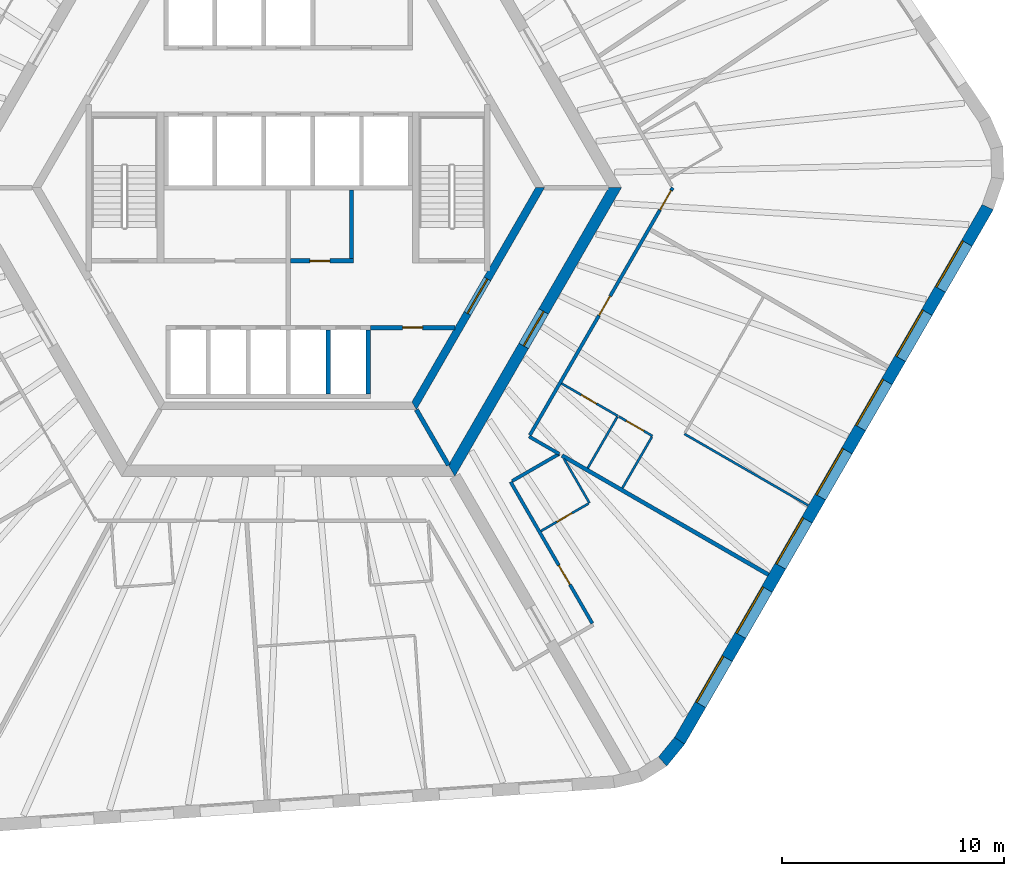
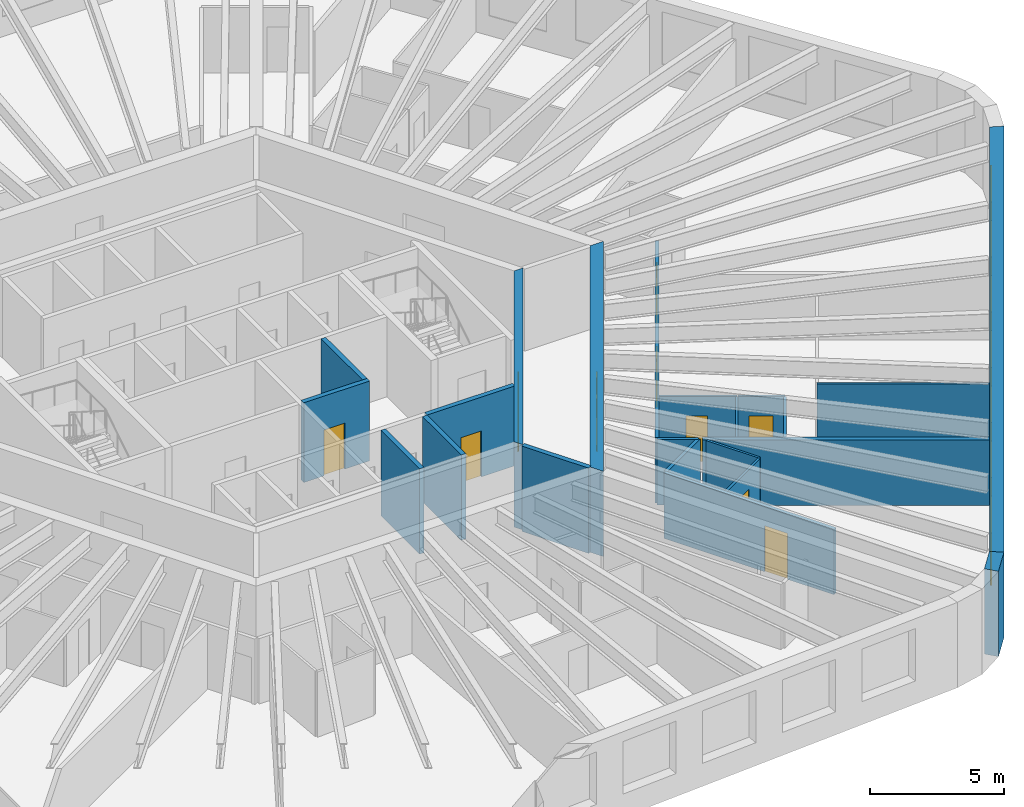
# One storey, part 5 of 10: 22 walls, 10 doors, 7 windows, 17 openings.
"""IFC4 building model written with IfcOpenShell, lengths in metres."""

from ifc_helpers import new_model, si_unit, direction, frame, frame_2d, origin, place, context, subcontext, project, spatial, polyline, rectangle, outline, extrude, material, layer, layer_set, type_object, element, fill, save


model = new_model("IFC4")

# Units and contexts
model_context = context("Model", 3, precision=1e-05, world=origin(), true_north=direction((0.0, 1.0)))
body_context = subcontext(model_context, "Body", "Model", "MODEL_VIEW")
ifc_project = project(units=[si_unit("LENGTHUNIT", "METRE"), si_unit("AREAUNIT", "SQUARE_METRE"), si_unit("VOLUMEUNIT", "CUBIC_METRE"), si_unit("PLANEANGLEUNIT", "RADIAN"), si_unit("MASSUNIT", "GRAM", prefix="KILO")], contexts=[model_context])

# Site, building, storey
site_placement = place(None, origin())
site = spatial("IfcSite", under=ifc_project, at=site_placement, CompositionType="ELEMENT")
building_placement = place(site_placement, origin())
building = spatial("IfcBuilding", under=site, at=building_placement, Name="Tarnside Tower", CompositionType="ELEMENT")
storey_placement = place(building_placement, frame((0.0, 0.0, 172.199951171875)))
storey = spatial("IfcBuildingStorey", under=building, at=storey_placement, Name="L40", CompositionType="ELEMENT", Elevation=172.199951171875)

# Wall
ifc_material_1 = material(Name="Gypsum board partition on steel studs", Category="steel")
ifc_layer_1 = layer(ifc_material_1, 0.10009765625)
ifc_layer_set_1 = layer_set([ifc_layer_1], Name="Bathroom wall 100")
wall_type_1 = type_object("IfcWallType", Name="Bathroom wall 100", PredefinedType="PARTITIONING", material=ifc_layer_set_1)
wall_1_placement = place(storey_placement, frame((12.42626953125, -12.22265625, 0.0), z_axis=(0.0, 0.0, 1.0), x_axis=(0.499959451571, -0.866048813165, 0.0)))
element("IfcWall", 1, at=wall_1_placement, inside=storey, type_object=wall_type_1, Name="Bathroom wall 12086", PredefinedType="PARTITIONING", context=body_context, shape_type="SweptSolid", body=[
    extrude(rectangle(XDim=2.288818359375, YDim=0.10009765625, at=frame_2d((1.14453125, 0.0))), origin(), (0.0, 0.0, 1.0), 2.98779296875),
])

# Wall, opening, door
wall_2_placement = place(storey_placement, frame((13.527099609375, -14.229736328125, 0.0), z_axis=(0.0, 0.0, 1.0), x_axis=(-0.866006523861, -0.500032699561, 0.0)))
wall_2 = element("IfcWall", 2, at=wall_2_placement, inside=storey, type_object=wall_type_1, Name="Bathroom wall 12087", PredefinedType="PARTITIONING", context=body_context, shape_type="SweptSolid", body=[
    extrude(rectangle(XDim=2.474853515625, YDim=0.10009765625, at=frame_2d((1.2373046875, 0.0))), origin(), (0.0, 0.0, 1.0), 2.98779296875),
])
opening_1_placement = place(wall_2_placement, frame((0.85009765625, 0.0, 0.0)))
opening_1 = element("IfcOpeningElement", 3, at=opening_1_placement, cuts=wall_2, Name="Opening D-B1", PredefinedType="OPENING", context=body_context, shape_type="SweptSolid", body=[
    extrude(rectangle(XDim=0.800048828125, YDim=2.10009765625, at=frame_2d((0.39990234375, 1.050048828125))), frame((0.0, 0.06005859375, 0.0), z_axis=(0.0, -1.0, 0.0), x_axis=(1.0, 0.0, 0.0)), (0.0, 0.0, 1.0), 0.1201171875),
])
ifc_material_2 = material(Name="Timber door leaf", Category="wood")
door_type_1 = type_object("IfcDoorType", Name="Bathroom door 800", OperationType="NOTDEFINED", PredefinedType="DOOR", material=ifc_material_2)
door_1_placement = place(opening_1_placement, origin())
door_1 = element("IfcDoor", 4, at=door_1_placement, inside=storey, type_object=door_type_1, Name="Bathroom door 12023", OperationType="SINGLE_SWING_RIGHT", OverallHeight=2.10009765625, OverallWidth=0.800048828125, PredefinedType="DOOR", context=body_context, shape_type="SweptSolid", body=[
    extrude(rectangle(XDim=0.800048828125, YDim=2.10009765625, at=frame_2d((0.39990234375, 1.050048828125))), frame((0.0, 0.02490234375, 0.0), z_axis=(0.0, -1.0, 0.0), x_axis=(1.0, 0.0, 0.0)), (0.0, 0.0, 1.0), 0.050048828125),
])
fill(opening_1, door_1)

wall_3_placement = place(storey_placement, frame((12.314208984375, -8.821044921875, 0.0), z_axis=(0.0, 0.0, 1.0), x_axis=(0.866046596414, -0.499963291492, 0.0)))
wall_3 = element("IfcWall", 5, at=wall_3_placement, inside=storey, type_object=wall_type_1, Name="Bathroom wall 12091", PredefinedType="PARTITIONING", context=body_context, shape_type="SweptSolid", body=[
    extrude(rectangle(XDim=2.925048828125, YDim=0.10009765625, at=frame_2d((1.46240234375, 0.0))), origin(), (0.0, 0.0, 1.0), 2.98779296875),
])
opening_2_placement = place(wall_3_placement, frame((1.02490234375, 0.0, 0.0)))
opening_2 = element("IfcOpeningElement", 6, at=opening_2_placement, cuts=wall_3, Name="Opening D-B1", PredefinedType="OPENING", context=body_context, shape_type="SweptSolid", body=[
    extrude(rectangle(XDim=0.800048828125, YDim=2.10009765625, at=frame_2d((0.39990234375, 1.050048828125))), frame((0.0, 0.06005859375, 0.0), z_axis=(0.0, -1.0, 0.0), x_axis=(1.0, 0.0, 0.0)), (0.0, 0.0, 1.0), 0.1201171875),
])
door_2_placement = place(opening_2_placement, origin())
door_2 = element("IfcDoor", 7, at=door_2_placement, inside=storey, type_object=door_type_1, Name="Bathroom door 12025", OperationType="SINGLE_SWING_RIGHT", OverallHeight=2.10009765625, OverallWidth=0.800048828125, PredefinedType="DOOR", context=body_context, shape_type="SweptSolid", body=[
    extrude(rectangle(XDim=0.800048828125, YDim=2.10009765625, at=frame_2d((0.39990234375, 1.050048828125))), frame((0.0, 0.02490234375, 0.0), z_axis=(0.0, -1.0, 0.0), x_axis=(1.0, 0.0, 0.0)), (0.0, 0.0, 1.0), 0.050048828125),
])
fill(opening_2, door_2)

# Wall
wall_4_placement = place(storey_placement, frame((13.492431640625, -12.63037109375, 0.0), z_axis=(0.0, 0.0, 1.0), x_axis=(0.50004820116, 0.865997573043, 0.0)))
element("IfcWall", 8, at=wall_4_placement, inside=storey, type_object=wall_type_1, Name="Bathroom wall 12097", PredefinedType="PARTITIONING", context=body_context, shape_type="SweptSolid", body=[
    extrude(rectangle(XDim=2.659912109375, YDim=0.10009765625, at=frame_2d((1.330078125, 0.0))), origin(), (0.0, 0.0, 1.0), 2.98779296875),
])

# Wall, opening, door
ifc_material_3 = material(Name="Concrete C50/60", Category="concrete")
ifc_layer_2 = layer(ifc_material_3, 0.35009765625)
ifc_layer_set_2 = layer_set([ifc_layer_2], Name="Core block wall 350 C50/60")
wall_type_2 = type_object("IfcWallType", Name="Core block wall 350 C50/60", PredefinedType="SHEAR", material=ifc_layer_set_2)
wall_5_placement = place(storey_placement, frame((5.672607421875, -9.824951171875, -0.14990234375), z_axis=(0.0, 0.0, 1.0), x_axis=(0.499995046907, 0.866028263435, 0.0)))
wall_5 = element("IfcWall", 9, at=wall_5_placement, inside=storey, type_object=wall_type_2, Name="L40 core block wall face 5", PredefinedType="SHEAR", context=body_context, shape_type="SweptSolid", body=[
    extrude(outline(polyline([(-0.10107421875, -0.175048828125), (11.44580078125, -0.175048828125), (11.24365234375, 0.175048828125), (0.10107421875, 0.175048828125), (-0.10107421875, -0.175048828125)])), origin(), (0.0, 0.0, 1.0), 3.89990234375),
])
opening_3_placement = place(wall_5_placement, frame((4.80126953125, 0.0, 0.14990234375)))
opening_3 = element("IfcOpeningElement", 10, at=opening_3_placement, cuts=wall_5, Name="Opening CD-FFL", PredefinedType="OPENING", context=body_context, shape_type="SweptSolid", body=[
    extrude(rectangle(XDim=1.800048828125, YDim=2.39990234375, at=frame_2d((0.89990234375, 1.199951171875))), frame((0.0, 0.18505859375, 0.0), z_axis=(0.0, -1.0, 0.0), x_axis=(1.0, 0.0, 0.0)), (0.0, 0.0, 1.0), 0.3701171875),
])
ifc_material_4 = material(Name="Steel fire door", Category="steel")
door_type_2 = type_object("IfcDoorType", Name="Firefighting lobby double door FD60S 1800x2400", OperationType="NOTDEFINED", PredefinedType="DOOR", material=ifc_material_4)
door_3_placement = place(opening_3_placement, origin())
door_3 = element("IfcDoor", 11, at=door_3_placement, inside=storey, type_object=door_type_2, Name="L40 lobby block door P4", OperationType="DOUBLE_DOOR_SINGLE_SWING", OverallHeight=2.39990234375, OverallWidth=1.800048828125, PredefinedType="DOOR", context=body_context, shape_type="SweptSolid", body=[
    extrude(rectangle(XDim=1.800048828125, YDim=2.39990234375, at=frame_2d((0.89990234375, 1.199951171875))), frame((0.0, 0.02490234375, 0.0), z_axis=(0.0, -1.0, 0.0), x_axis=(1.0, 0.0, 0.0)), (0.0, 0.0, 1.0), 0.050048828125),
])
fill(opening_3, door_3)

ifc_material_5 = material(Name="Concrete C40/50", Category="concrete")
ifc_layer_3 = layer(ifc_material_5, 0.199951171875)
ifc_layer_set_3 = layer_set([ifc_layer_3], Name="Core room partition 200 C40/50")
wall_type_3 = type_object("IfcWallType", Name="Core room partition 200 C40/50", PredefinedType="PARTITIONING", material=ifc_layer_set_3)
wall_6_placement = place(storey_placement, frame((0.10009765625, -3.300048828125, 0.0), z_axis=(0.0, 0.0, 1.0), x_axis=(1.0, 0.0, 0.0)))
wall_6 = element("IfcWall", 12, at=wall_6_placement, inside=storey, type_object=wall_type_3, Name="L40 core partition R3S1", PredefinedType="PARTITIONING", context=body_context, shape_type="SweptSolid", body=[
    extrude(rectangle(XDim=2.849853515625, YDim=0.199951171875, at=frame_2d((1.4248046875, 0.0))), origin(), (0.0, 0.0, 1.0), 3.650146484375),
])
opening_4_placement = place(wall_6_placement, frame((0.875, 0.0, 0.0)))
opening_4 = element("IfcOpeningElement", 13, at=opening_4_placement, cuts=wall_6, Name="Opening CD-room", PredefinedType="OPENING", context=body_context, shape_type="SweptSolid", body=[
    extrude(rectangle(XDim=0.89990234375, YDim=2.10009765625, at=frame_2d((0.449951171875, 1.050048828125))), frame((0.0, 0.10986328125, 0.0), z_axis=(0.0, -1.0, 0.0), x_axis=(1.0, 0.0, 0.0)), (0.0, 0.0, 1.0), 0.219970703125),
])
door_type_3 = type_object("IfcDoorType", Name="Room door FD60 900x2100", OperationType="NOTDEFINED", PredefinedType="DOOR", material=ifc_material_4)
door_4_placement = place(opening_4_placement, origin())
door_4 = element("IfcDoor", 14, at=door_4_placement, inside=storey, type_object=door_type_3, Name="L40 core room door SR1", OperationType="SINGLE_SWING_LEFT", OverallHeight=2.10009765625, OverallWidth=0.89990234375, PredefinedType="DOOR", context=body_context, shape_type="SweptSolid", body=[
    extrude(rectangle(XDim=0.89990234375, YDim=2.10009765625, at=frame_2d((0.449951171875, 1.050048828125))), frame((0.0, 0.02490234375, 0.0), z_axis=(0.0, -1.0, 0.0), x_axis=(1.0, 0.0, 0.0)), (0.0, 0.0, 1.0), 0.050048828125),
])
fill(opening_4, door_4)

# Wall
wall_7_placement = place(storey_placement, frame((2.85009765625, -3.199951171875, 0.0), z_axis=(0.0, 0.0, 1.0), x_axis=(0.0, 1.0, 0.0)))
element("IfcWall", 15, at=wall_7_placement, inside=storey, type_object=wall_type_3, Name="L40 core partition R3P1b", PredefinedType="PARTITIONING", context=body_context, shape_type="SweptSolid", body=[
    extrude(rectangle(XDim=3.099853515625, YDim=0.199951171875, at=frame_2d((1.5498046875, 0.0))), origin(), (0.0, 0.0, 1.0), 3.650146484375),
])

# Wall, opening, door
wall_8_placement = place(storey_placement, frame((3.699951171875, -6.300048828125, 0.0), z_axis=(0.0, 0.0, 1.0), x_axis=(1.0, 0.0, 0.0)))
wall_8 = element("IfcWall", 16, at=wall_8_placement, inside=storey, type_object=wall_type_3, Name="L40 core partition R4X", PredefinedType="PARTITIONING", context=body_context, shape_type="SweptSolid", body=[
    extrude(rectangle(XDim=3.8056640625, YDim=0.199951171875, at=frame_2d((1.90283203125, 0.0))), origin(), (0.0, 0.0, 1.0), 3.650146484375),
])
opening_5_placement = place(wall_8_placement, frame((1.452880859375, 0.0, 0.0)))
opening_5 = element("IfcOpeningElement", 17, at=opening_5_placement, cuts=wall_8, Name="Opening CD-room", PredefinedType="OPENING", context=body_context, shape_type="SweptSolid", body=[
    extrude(rectangle(XDim=0.89990234375, YDim=2.10009765625, at=frame_2d((0.449951171875, 1.050048828125))), frame((0.0, 0.10986328125, 0.0), z_axis=(0.0, -1.0, 0.0), x_axis=(1.0, 0.0, 0.0)), (0.0, 0.0, 1.0), 0.219970703125),
])
door_5_placement = place(opening_5_placement, origin())
door_5 = element("IfcDoor", 18, at=door_5_placement, inside=storey, type_object=door_type_3, Name="L40 core room door RX", OperationType="SINGLE_SWING_LEFT", OverallHeight=2.10009765625, OverallWidth=0.89990234375, PredefinedType="DOOR", context=body_context, shape_type="SweptSolid", body=[
    extrude(rectangle(XDim=0.89990234375, YDim=2.10009765625, at=frame_2d((0.449951171875, 1.050048828125))), frame((0.0, 0.02490234375, 0.0), z_axis=(0.0, -1.0, 0.0), x_axis=(1.0, 0.0, 0.0)), (0.0, 0.0, 1.0), 0.050048828125),
])
fill(opening_5, door_5)

ifc_material_6 = material(Name="Concrete C70/85", Category="concrete")
ifc_layer_4 = layer(ifc_material_6, 0.5)
ifc_layer_set_4 = layer_set([ifc_layer_4], Name="Core wall Z2 500 C70/85")
wall_type_4 = type_object("IfcWallType", Name="Core wall Z2 500 C70/85", PredefinedType="SHEAR", material=ifc_layer_set_4)
wall_9_placement = place(storey_placement, frame((7.361083984375, -12.75, -0.14990234375), z_axis=(0.0, 0.0, 1.0), x_axis=(0.50000571537, 0.866022103989, 0.0)))
wall_9 = element("IfcWall", 19, at=wall_9_placement, inside=storey, type_object=wall_type_4, Name="L40 core wall face 5", PredefinedType="SHEAR", context=body_context, shape_type="SweptSolid", body=[
    extrude(outline(polyline([(-0.144287109375, -0.25), (14.86669921875, -0.25), (14.578125, 0.25), (0.144287109375, 0.25), (-0.144287109375, -0.25)])), origin(), (0.0, 0.0, 1.0), 3.89990234375),
])
opening_6_placement = place(wall_9_placement, frame((6.489990234375, 0.0, 0.14990234375)))
opening_6 = element("IfcOpeningElement", 20, at=opening_6_placement, cuts=wall_9, Name="Opening CD-FFL", PredefinedType="OPENING", context=body_context, shape_type="SweptSolid", body=[
    extrude(rectangle(XDim=1.800048828125, YDim=2.39990234375, at=frame_2d((0.89990234375, 1.199951171875))), frame((0.0, 0.260009765625, 0.0), z_axis=(0.0, -1.0, 0.0), x_axis=(1.0, 0.0, 0.0)), (0.0, 0.0, 1.0), 0.52001953125),
])
door_6_placement = place(opening_6_placement, origin())
door_6 = element("IfcDoor", 21, at=door_6_placement, inside=storey, type_object=door_type_2, Name="L40 core door P4", OperationType="DOUBLE_DOOR_SINGLE_SWING", OverallHeight=2.39990234375, OverallWidth=1.800048828125, PredefinedType="DOOR", context=body_context, shape_type="SweptSolid", body=[
    extrude(rectangle(XDim=1.800048828125, YDim=2.39990234375, at=frame_2d((0.89990234375, 1.199951171875))), frame((0.0, 0.02490234375, 0.0), z_axis=(0.0, -1.0, 0.0), x_axis=(1.0, 0.0, 0.0)), (0.0, 0.0, 1.0), 0.050048828125),
])
fill(opening_6, door_6)

ifc_layer_5 = layer(ifc_material_1, 0.14990234375)
ifc_layer_set_5 = layer_set([ifc_layer_5], Name="Corridor wall 150 EI 60")
wall_type_5 = type_object("IfcWallType", Name="Corridor wall 150 EI 60", PredefinedType="PARTITIONING", material=ifc_layer_set_5)
wall_10_placement = place(storey_placement, frame((13.69921875, -19.6279296875, 0.0), z_axis=(0.0, 0.0, 1.0), x_axis=(-0.499995202058, 0.86602817386, 0.0)))
wall_10 = element("IfcWall", 22, at=wall_10_placement, inside=storey, type_object=wall_type_5, Name="Corridor wall 12029", PredefinedType="PARTITIONING", context=body_context, shape_type="SweptSolid", body=[
    extrude(rectangle(XDim=7.36083984375, YDim=0.14990234375, at=frame_2d((3.680419921875, 0.0))), origin(), (0.0, 0.0, 1.0), 2.98779296875),
])
opening_7_placement = place(wall_10_placement, frame((2.01806640625, 0.0, 0.0)))
opening_7 = element("IfcOpeningElement", 23, at=opening_7_placement, cuts=wall_10, Name="Opening D-E1", PredefinedType="OPENING", context=body_context, shape_type="SweptSolid", body=[
    extrude(rectangle(XDim=1.0, YDim=2.10009765625, at=frame_2d((0.5, 1.050048828125))), frame((0.0, 0.0849609375, 0.0), z_axis=(0.0, -1.0, 0.0), x_axis=(1.0, 0.0, 0.0)), (0.0, 0.0, 1.0), 0.169921875),
])
door_type_4 = type_object("IfcDoorType", Name="Unit entrance door 1000 FD30S", OperationType="NOTDEFINED", PredefinedType="DOOR", material=ifc_material_2)
door_7_placement = place(opening_7_placement, origin())
door_7 = element("IfcDoor", 24, at=door_7_placement, inside=storey, type_object=door_type_4, Name="Unit door 12022", OperationType="SINGLE_SWING_LEFT", OverallHeight=2.10009765625, OverallWidth=1.0, PredefinedType="DOOR", context=body_context, shape_type="SweptSolid", body=[
    extrude(rectangle(XDim=1.0, YDim=2.10009765625, at=frame_2d((0.5, 1.050048828125))), frame((0.0, 0.02490234375, 0.0), z_axis=(0.0, -1.0, 0.0), x_axis=(1.0, 0.0, 0.0)), (0.0, 0.0, 1.0), 0.050048828125),
])
fill(opening_7, door_7)

# Wall
wall_11_placement = place(storey_placement, frame((10.083740234375, -13.215576171875, 0.0), z_axis=(0.0, 0.0, 1.0), x_axis=(0.866026229868, 0.499998569178, 0.0)))
element("IfcWall", 25, at=wall_11_placement, inside=storey, type_object=wall_type_5, Name="Corridor wall 12031", PredefinedType="PARTITIONING", context=body_context, shape_type="SweptSolid", body=[
    extrude(rectangle(XDim=2.44921875, YDim=0.14990234375, at=frame_2d((1.224609375, 0.0))), origin(), (0.0, 0.0, 1.0), 2.98779296875),
])

# Wall, openings, doors
wall_12_placement = place(storey_placement, frame((10.88671875, -11.1435546875, 0.0), z_axis=(0.0, 0.0, 1.0), x_axis=(0.500006037985, 0.866021917724, 0.0)))
wall_12 = element("IfcWall", 26, at=wall_12_placement, inside=storey, type_object=wall_type_5, Name="Corridor wall 12032", PredefinedType="PARTITIONING", context=body_context, shape_type="SweptSolid", body=[
    extrude(rectangle(XDim=12.867431640625, YDim=0.14990234375, at=frame_2d((6.43359375, 0.0))), origin(), (0.0, 0.0, 1.0), 2.98779296875),
])
opening_8_placement = place(wall_12_placement, frame((6.22509765625, 0.0, 0.0)))
opening_8 = element("IfcOpeningElement", 27, at=opening_8_placement, cuts=wall_12, Name="Opening D-E1", PredefinedType="OPENING", context=body_context, shape_type="SweptSolid", body=[
    extrude(rectangle(XDim=1.0, YDim=2.10009765625, at=frame_2d((0.5, 1.050048828125))), frame((0.0, 0.0849609375, 0.0), z_axis=(0.0, -1.0, 0.0), x_axis=(1.0, 0.0, 0.0)), (0.0, 0.0, 1.0), 0.169921875),
])
opening_9_placement = place(wall_12_placement, frame((11.71728515625, 0.0, 0.0)))
opening_9 = element("IfcOpeningElement", 28, at=opening_9_placement, cuts=wall_12, Name="Opening D-E1", PredefinedType="OPENING", context=body_context, shape_type="SweptSolid", body=[
    extrude(rectangle(XDim=1.0, YDim=2.10009765625, at=frame_2d((0.5, 1.050048828125))), frame((0.0, 0.0849609375, 0.0), z_axis=(0.0, -1.0, 0.0), x_axis=(1.0, 0.0, 0.0)), (0.0, 0.0, 1.0), 0.169921875),
])
door_8_placement = place(opening_8_placement, origin())
door_8 = element("IfcDoor", 29, at=door_8_placement, inside=storey, type_object=door_type_4, Name="Unit door 12024", OperationType="SINGLE_SWING_LEFT", OverallHeight=2.10009765625, OverallWidth=1.0, PredefinedType="DOOR", context=body_context, shape_type="SweptSolid", body=[
    extrude(rectangle(XDim=1.0, YDim=2.10009765625, at=frame_2d((0.5, 1.050048828125))), frame((0.0, 0.02490234375, 0.0), z_axis=(0.0, -1.0, 0.0), x_axis=(1.0, 0.0, 0.0)), (0.0, 0.0, 1.0), 0.050048828125),
])
fill(opening_8, door_8)
door_9_placement = place(opening_9_placement, origin())
door_9 = element("IfcDoor", 30, at=door_9_placement, inside=storey, type_object=door_type_4, Name="Unit door 12028", OperationType="SINGLE_SWING_LEFT", OverallHeight=2.10009765625, OverallWidth=1.0, PredefinedType="DOOR", context=body_context, shape_type="SweptSolid", body=[
    extrude(rectangle(XDim=1.0, YDim=2.10009765625, at=frame_2d((0.5, 1.050048828125))), frame((0.0, 0.02490234375, 0.0), z_axis=(0.0, -1.0, 0.0), x_axis=(1.0, 0.0, 0.0)), (0.0, 0.0, 1.0), 0.050048828125),
])
fill(opening_9, door_9)

# Walls
wall_13_placement = place(storey_placement, frame((12.20751953125, -11.99267578125, 0.0), z_axis=(0.0, 0.0, 1.0), x_axis=(-0.866011891242, 0.50002340368, 0.0)))
element("IfcWall", 31, at=wall_13_placement, inside=storey, type_object=wall_type_5, Name="Corridor wall 12033", PredefinedType="PARTITIONING", context=body_context, shape_type="SweptSolid", body=[
    extrude(rectangle(XDim=1.568359375, YDim=0.14990234375, at=frame_2d((0.7841796875, 0.0))), origin(), (0.0, 0.0, 1.0), 2.98779296875),
])
ifc_layer_6 = layer(ifc_material_1, 0.179931640625)
ifc_layer_set_6 = layer_set([ifc_layer_6], Name="Demising wall 180 EI 60")
wall_type_6 = type_object("IfcWallType", Name="Demising wall 180 EI 60", PredefinedType="PARTITIONING", material=ifc_layer_set_6)
wall_14_placement = place(storey_placement, frame((21.63134765625, -17.433349609375, 0.0), z_axis=(0.0, 0.0, 1.0), x_axis=(-0.866030310389, 0.499991501415, 0.0)))
element("IfcWall", 32, at=wall_14_placement, inside=storey, type_object=wall_type_6, Name="Demising wall 12088", PredefinedType="PARTITIONING", context=body_context, shape_type="SweptSolid", body=[
    extrude(rectangle(XDim=10.735107421875, YDim=0.179931640625, at=frame_2d((5.36767578125, 0.0))), origin(), (0.0, 0.0, 1.0), 2.98779296875),
])
ifc_layer_7 = layer(ifc_material_5, 0.199951171875)
ifc_layer_set_7 = layer_set([ifc_layer_7], Name="Lift shaft wall 200 C40/50")
wall_type_7 = type_object("IfcWallType", Name="Lift shaft wall 200 C40/50", PredefinedType="SHEAR", material=ifc_layer_set_7)
for number, where, z_axis, x_axis, name in (
    (33, (1.800048828125, -9.300048828125, -0.25), (0.0, 0.0, 1.0), (0.0, 1.0, 0.0), "L40 lift shaft partition R45"),
    (34, (3.60009765625, -9.300048828125, -0.25), (0.0, 0.0, 1.0), (0.0, 1.0, 0.0), "L40 lift shaft partition R46"),
):
    element("IfcWall", number, at=place(storey_placement, frame(where, z_axis=z_axis, x_axis=x_axis)), inside=storey, type_object=wall_type_7, Name=name, PredefinedType="SHEAR", context=body_context, shape_type="SweptSolid", body=[
        extrude(rectangle(XDim=2.900146484375, YDim=0.199951171875, at=frame_2d((1.4501953125, 0.0))), origin(), (0.0, 0.0, 1.0), 3.900146484375),
    ])
wall_15_placement = place(storey_placement, frame((5.7734375, -10.0, -0.14990234375), z_axis=(0.0, 0.0, 1.0), x_axis=(0.499995765644, -0.866027848477, 0.0)))
element("IfcWall", 35, at=wall_15_placement, inside=storey, type_object=wall_type_7, Name="L40 core partition AR300", PredefinedType="SHEAR", context=body_context, shape_type="SweptSolid", body=[
    extrude(rectangle(XDim=2.88671875, YDim=0.199951171875, at=frame_2d((1.443359375, 0.0))), origin(), (0.0, 0.0, 1.0), 3.89990234375),
])

# Wall, opening, door
ifc_layer_8 = layer(ifc_material_1, 0.10009765625)
ifc_layer_set_8 = layer_set([ifc_layer_8], Name="Partition 100")
wall_type_8 = type_object("IfcWallType", Name="Partition 100", PredefinedType="PARTITIONING", material=ifc_layer_set_8)
wall_16_placement = place(storey_placement, frame((14.890625, -10.30859375, 0.0), z_axis=(0.0, 0.0, 1.0), x_axis=(0.866036909293, -0.499980071345, 0.0)))
wall_16 = element("IfcWall", 36, at=wall_16_placement, inside=storey, type_object=wall_type_8, Name="Partition wall 12092", PredefinedType="PARTITIONING", context=body_context, shape_type="SweptSolid", body=[
    extrude(rectangle(XDim=1.75, YDim=0.10009765625, at=frame_2d((0.875, 0.0))), origin(), (0.0, 0.0, 1.0), 2.98779296875),
])
opening_10_placement = place(wall_16_placement, frame((0.39990234375, 0.0, 0.0)))
opening_10 = element("IfcOpeningElement", 37, at=opening_10_placement, cuts=wall_16, Name="Opening D-I1", PredefinedType="OPENING", context=body_context, shape_type="SweptSolid", body=[
    extrude(rectangle(XDim=0.89990234375, YDim=2.10009765625, at=frame_2d((0.449951171875, 1.050048828125))), frame((0.0, 0.06005859375, 0.0), z_axis=(0.0, -1.0, 0.0), x_axis=(1.0, 0.0, 0.0)), (0.0, 0.0, 1.0), 0.1201171875),
])
door_type_5 = type_object("IfcDoorType", Name="Internal door 900", OperationType="NOTDEFINED", PredefinedType="DOOR", material=ifc_material_2)
door_10_placement = place(opening_10_placement, origin())
door_10 = element("IfcDoor", 38, at=door_10_placement, inside=storey, type_object=door_type_5, Name="Internal door 12026", OperationType="SINGLE_SWING_RIGHT", OverallHeight=2.10009765625, OverallWidth=0.89990234375, PredefinedType="DOOR", context=body_context, shape_type="SweptSolid", body=[
    extrude(rectangle(XDim=0.89990234375, YDim=2.10009765625, at=frame_2d((0.449951171875, 1.050048828125))), frame((0.0, 0.02490234375, 0.0), z_axis=(0.0, -1.0, 0.0), x_axis=(1.0, 0.0, 0.0)), (0.0, 0.0, 1.0), 0.050048828125),
])
fill(opening_10, door_10)

# Walls
wall_17_placement = place(storey_placement, frame((16.38134765625, -11.226806640625, 0.0), z_axis=(0.0, 0.0, 1.0), x_axis=(-0.500008456887, -0.866020521143, 0.0)))
element("IfcWall", 39, at=wall_17_placement, inside=storey, type_object=wall_type_8, Name="Partition wall 12093", PredefinedType="PARTITIONING", context=body_context, shape_type="SweptSolid", body=[
    extrude(rectangle(XDim=2.66015625, YDim=0.10009765625, at=frame_2d((1.330078125, 0.0))), origin(), (0.0, 0.0, 1.0), 2.98779296875),
])
wall_18_placement = place(storey_placement, frame((23.431396484375, -14.315673828125, 0.0), z_axis=(0.0, 0.0, 1.0), x_axis=(-0.86603809205, 0.499978022635, 0.0)))
element("IfcWall", 40, at=wall_18_placement, inside=storey, type_object=wall_type_8, Name="Partition wall 12094", PredefinedType="PARTITIONING", context=body_context, shape_type="SweptSolid", body=[
    extrude(rectangle(XDim=6.449951171875, YDim=0.10009765625, at=frame_2d((3.22509765625, 0.0))), origin(), (0.0, 0.0, 1.0), 2.98779296875),
])
ifc_material_7 = material(Name="Facing brick", Category="masonry")
ifc_layer_9 = layer(ifc_material_7, 0.10205078125)
ifc_material_8 = material(Name="Concrete C60/75 precast", Category="concrete")
ifc_layer_10 = layer(ifc_material_8, 0.347900390625)
ifc_material_9 = material(Name="Mineral wool insulation")
ifc_layer_11 = layer(ifc_material_9, 0.10009765625)
ifc_layer_set_9 = layer_set([ifc_layer_9, ifc_layer_10, ifc_layer_11], Name="Tube wall 550 brick faced")
wall_type_9 = type_object("IfcWallType", Name="Tube wall 550 brick faced", PredefinedType="SOLIDWALL", material=ifc_layer_set_9)
wall_19_placement = place(storey_placement, frame((16.8642578125, -25.848388671875, -0.14990234375), z_axis=(0.0, 0.0, 1.0), x_axis=(0.633842757806, 0.773461930787, 0.0)))
element("IfcWall", 41, at=wall_19_placement, inside=storey, type_object=wall_type_9, Name="Tube wall L40 F4 chord 15", PredefinedType="SOLIDWALL", context=body_context, shape_type="SweptSolid", body=[
    extrude(outline(polyline([(-0.045166015625, -0.27490234375), (1.230712890625, -0.27490234375), (1.185791015625, 0.27490234375), (0.045166015625, 0.27490234375), (-0.045166015625, -0.27490234375)])), origin(), (0.0, 0.0, 1.0), 3.89990234375),
])

# Wall, openings, windows
wall_20_placement = place(storey_placement, frame((17.630126953125, -24.913818359375, -0.14990234375), z_axis=(0.0, 0.0, 1.0), x_axis=(0.499998569178, 0.866026229868, 0.0)))
wall_20 = element("IfcWall", 42, at=wall_20_placement, inside=storey, type_object=wall_type_9, Name="Tube wall L40 F5 flush 16", PredefinedType="SOLIDWALL", context=body_context, shape_type="SweptSolid", body=[
    extrude(outline(polyline([(-0.0224609375, -0.27490234375), (27.783447265625, -0.27490234375), (27.732177734375, 0.27490234375), (0.0224609375, 0.27490234375), (-0.0224609375, -0.27490234375)])), origin(), (0.0, 0.0, 1.0), 3.89990234375),
])
opening_11_placement = place(wall_20_placement, frame((1.87890625, 0.0, 1.050048828125)))
opening_11 = element("IfcOpeningElement", 43, at=opening_11_placement, cuts=wall_20, Name="Opening WH", PredefinedType="OPENING", context=body_context, shape_type="SweptSolid", body=[
    extrude(rectangle(XDim=2.39990234375, YDim=2.39990234375, at=frame_2d((1.199951171875, 1.199951171875))), frame((0.0, 0.28515625, 0.0), z_axis=(0.0, -1.0, 0.0), x_axis=(1.0, 0.0, 0.0)), (0.0, 0.0, 1.0), 0.570068359375),
])
opening_12_placement = place(wall_20_placement, frame((5.47900390625, 0.0, 1.050048828125)))
opening_12 = element("IfcOpeningElement", 44, at=opening_12_placement, cuts=wall_20, Name="Opening WH", PredefinedType="OPENING", context=body_context, shape_type="SweptSolid", body=[
    extrude(rectangle(XDim=2.39990234375, YDim=2.39990234375, at=frame_2d((1.199951171875, 1.199951171875))), frame((0.0, 0.28515625, 0.0), z_axis=(0.0, -1.0, 0.0), x_axis=(1.0, 0.0, 0.0)), (0.0, 0.0, 1.0), 0.570068359375),
])
opening_13_placement = place(wall_20_placement, frame((9.078857421875, 0.0, 1.050048828125)))
opening_13 = element("IfcOpeningElement", 45, at=opening_13_placement, cuts=wall_20, Name="Opening WH", PredefinedType="OPENING", context=body_context, shape_type="SweptSolid", body=[
    extrude(rectangle(XDim=2.39990234375, YDim=2.39990234375, at=frame_2d((1.199951171875, 1.199951171875))), frame((0.0, 0.28515625, 0.0), z_axis=(0.0, -1.0, 0.0), x_axis=(1.0, 0.0, 0.0)), (0.0, 0.0, 1.0), 0.570068359375),
])
opening_14_placement = place(wall_20_placement, frame((12.678955078125, 0.0, 1.050048828125)))
opening_14 = element("IfcOpeningElement", 46, at=opening_14_placement, cuts=wall_20, Name="Opening WH", PredefinedType="OPENING", context=body_context, shape_type="SweptSolid", body=[
    extrude(rectangle(XDim=2.39990234375, YDim=2.39990234375, at=frame_2d((1.199951171875, 1.199951171875))), frame((0.0, 0.28515625, 0.0), z_axis=(0.0, -1.0, 0.0), x_axis=(1.0, 0.0, 0.0)), (0.0, 0.0, 1.0), 0.570068359375),
])
opening_15_placement = place(wall_20_placement, frame((16.27880859375, 0.0, 1.050048828125)))
opening_15 = element("IfcOpeningElement", 47, at=opening_15_placement, cuts=wall_20, Name="Opening WH", PredefinedType="OPENING", context=body_context, shape_type="SweptSolid", body=[
    extrude(rectangle(XDim=2.39990234375, YDim=2.39990234375, at=frame_2d((1.199951171875, 1.199951171875))), frame((0.0, 0.28515625, 0.0), z_axis=(0.0, -1.0, 0.0), x_axis=(1.0, 0.0, 0.0)), (0.0, 0.0, 1.0), 0.570068359375),
])
opening_16_placement = place(wall_20_placement, frame((19.87890625, 0.0, 1.050048828125)))
opening_16 = element("IfcOpeningElement", 48, at=opening_16_placement, cuts=wall_20, Name="Opening WH", PredefinedType="OPENING", context=body_context, shape_type="SweptSolid", body=[
    extrude(rectangle(XDim=2.39990234375, YDim=2.39990234375, at=frame_2d((1.199951171875, 1.199951171875))), frame((0.0, 0.28515625, 0.0), z_axis=(0.0, -1.0, 0.0), x_axis=(1.0, 0.0, 0.0)), (0.0, 0.0, 1.0), 0.570068359375),
])
opening_17_placement = place(wall_20_placement, frame((23.47900390625, 0.0, 1.050048828125)))
opening_17 = element("IfcOpeningElement", 49, at=opening_17_placement, cuts=wall_20, Name="Opening WH", PredefinedType="OPENING", context=body_context, shape_type="SweptSolid", body=[
    extrude(rectangle(XDim=2.39990234375, YDim=2.39990234375, at=frame_2d((1.199951171875, 1.199951171875))), frame((0.0, 0.28515625, 0.0), z_axis=(0.0, -1.0, 0.0), x_axis=(1.0, 0.0, 0.0)), (0.0, 0.0, 1.0), 0.570068359375),
])
ifc_material_10 = material(Name="Aluminium-framed double glazing", Category="aluminium")
window_type = type_object("IfcWindowType", Name="Hotel window 2400 x 2400", PartitioningType="DOUBLE_PANEL_VERTICAL", PredefinedType="WINDOW", material=ifc_material_10)
window_1_placement = place(opening_11_placement, frame((0.0, 0.205078125, 0.0)))
window_1 = element("IfcWindow", 50, at=window_1_placement, inside=storey, type_object=window_type, Name="E.WN.L40.F5.00", OverallHeight=2.39990234375, OverallWidth=2.39990234375, PartitioningType="DOUBLE_PANEL_VERTICAL", PredefinedType="WINDOW", context=body_context, shape_type="SweptSolid", body=[
    extrude(rectangle(XDim=2.39990234375, YDim=2.39990234375, at=frame_2d((1.199951171875, 1.199951171875))), frame((0.0, 0.030029296875, 0.0), z_axis=(0.0, -1.0, 0.0), x_axis=(1.0, 0.0, 0.0)), (0.0, 0.0, 1.0), 0.06005859375),
])
fill(opening_11, window_1)
window_2_placement = place(opening_12_placement, frame((0.0, 0.205078125, 0.0)))
window_2 = element("IfcWindow", 51, at=window_2_placement, inside=storey, type_object=window_type, Name="E.WN.L40.F5.01", OverallHeight=2.39990234375, OverallWidth=2.39990234375, PartitioningType="DOUBLE_PANEL_VERTICAL", PredefinedType="WINDOW", context=body_context, shape_type="SweptSolid", body=[
    extrude(rectangle(XDim=2.39990234375, YDim=2.39990234375, at=frame_2d((1.199951171875, 1.199951171875))), frame((0.0, 0.030029296875, 0.0), z_axis=(0.0, -1.0, 0.0), x_axis=(1.0, 0.0, 0.0)), (0.0, 0.0, 1.0), 0.06005859375),
])
fill(opening_12, window_2)
window_3_placement = place(opening_13_placement, frame((0.0, 0.205078125, 0.0)))
window_3 = element("IfcWindow", 52, at=window_3_placement, inside=storey, type_object=window_type, Name="E.WN.L40.F5.02", OverallHeight=2.39990234375, OverallWidth=2.39990234375, PartitioningType="DOUBLE_PANEL_VERTICAL", PredefinedType="WINDOW", context=body_context, shape_type="SweptSolid", body=[
    extrude(rectangle(XDim=2.39990234375, YDim=2.39990234375, at=frame_2d((1.199951171875, 1.199951171875))), frame((0.0, 0.030029296875, 0.0), z_axis=(0.0, -1.0, 0.0), x_axis=(1.0, 0.0, 0.0)), (0.0, 0.0, 1.0), 0.06005859375),
])
fill(opening_13, window_3)
window_4_placement = place(opening_14_placement, frame((0.0, 0.205078125, 0.0)))
window_4 = element("IfcWindow", 53, at=window_4_placement, inside=storey, type_object=window_type, Name="E.WN.L40.F5.03", OverallHeight=2.39990234375, OverallWidth=2.39990234375, PartitioningType="DOUBLE_PANEL_VERTICAL", PredefinedType="WINDOW", context=body_context, shape_type="SweptSolid", body=[
    extrude(rectangle(XDim=2.39990234375, YDim=2.39990234375, at=frame_2d((1.199951171875, 1.199951171875))), frame((0.0, 0.030029296875, 0.0), z_axis=(0.0, -1.0, 0.0), x_axis=(1.0, 0.0, 0.0)), (0.0, 0.0, 1.0), 0.06005859375),
])
fill(opening_14, window_4)
window_5_placement = place(opening_15_placement, frame((0.0, 0.205078125, 0.0)))
window_5 = element("IfcWindow", 54, at=window_5_placement, inside=storey, type_object=window_type, Name="E.WN.L40.F5.04", OverallHeight=2.39990234375, OverallWidth=2.39990234375, PartitioningType="DOUBLE_PANEL_VERTICAL", PredefinedType="WINDOW", context=body_context, shape_type="SweptSolid", body=[
    extrude(rectangle(XDim=2.39990234375, YDim=2.39990234375, at=frame_2d((1.199951171875, 1.199951171875))), frame((0.0, 0.030029296875, 0.0), z_axis=(0.0, -1.0, 0.0), x_axis=(1.0, 0.0, 0.0)), (0.0, 0.0, 1.0), 0.06005859375),
])
fill(opening_15, window_5)
window_6_placement = place(opening_16_placement, frame((0.0, 0.205078125, 0.0)))
window_6 = element("IfcWindow", 55, at=window_6_placement, inside=storey, type_object=window_type, Name="E.WN.L40.F5.05", OverallHeight=2.39990234375, OverallWidth=2.39990234375, PartitioningType="DOUBLE_PANEL_VERTICAL", PredefinedType="WINDOW", context=body_context, shape_type="SweptSolid", body=[
    extrude(rectangle(XDim=2.39990234375, YDim=2.39990234375, at=frame_2d((1.199951171875, 1.199951171875))), frame((0.0, 0.030029296875, 0.0), z_axis=(0.0, -1.0, 0.0), x_axis=(1.0, 0.0, 0.0)), (0.0, 0.0, 1.0), 0.06005859375),
])
fill(opening_16, window_6)
window_7_placement = place(opening_17_placement, frame((0.0, 0.205078125, 0.0)))
window_7 = element("IfcWindow", 56, at=window_7_placement, inside=storey, type_object=window_type, Name="E.WN.L40.F5.06", OverallHeight=2.39990234375, OverallWidth=2.39990234375, PartitioningType="DOUBLE_PANEL_VERTICAL", PredefinedType="WINDOW", context=body_context, shape_type="SweptSolid", body=[
    extrude(rectangle(XDim=2.39990234375, YDim=2.39990234375, at=frame_2d((1.199951171875, 1.199951171875))), frame((0.0, 0.030029296875, 0.0), z_axis=(0.0, -1.0, 0.0), x_axis=(1.0, 0.0, 0.0)), (0.0, 0.0, 1.0), 0.06005859375),
])
fill(opening_17, window_7)

save(model, "model.ifc")
